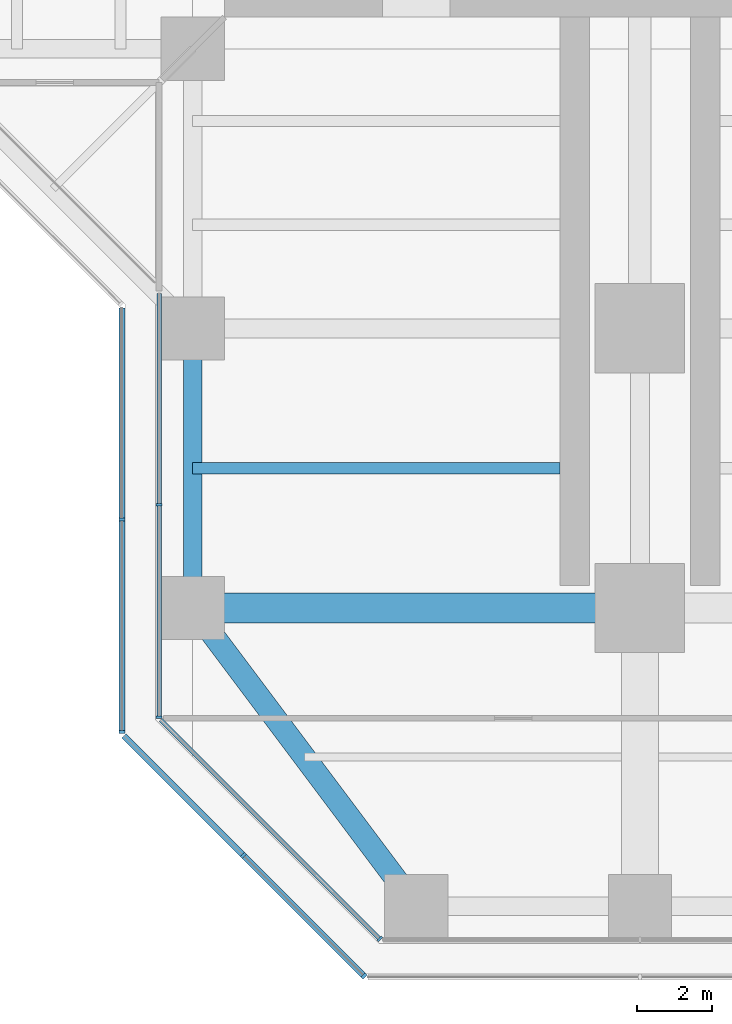
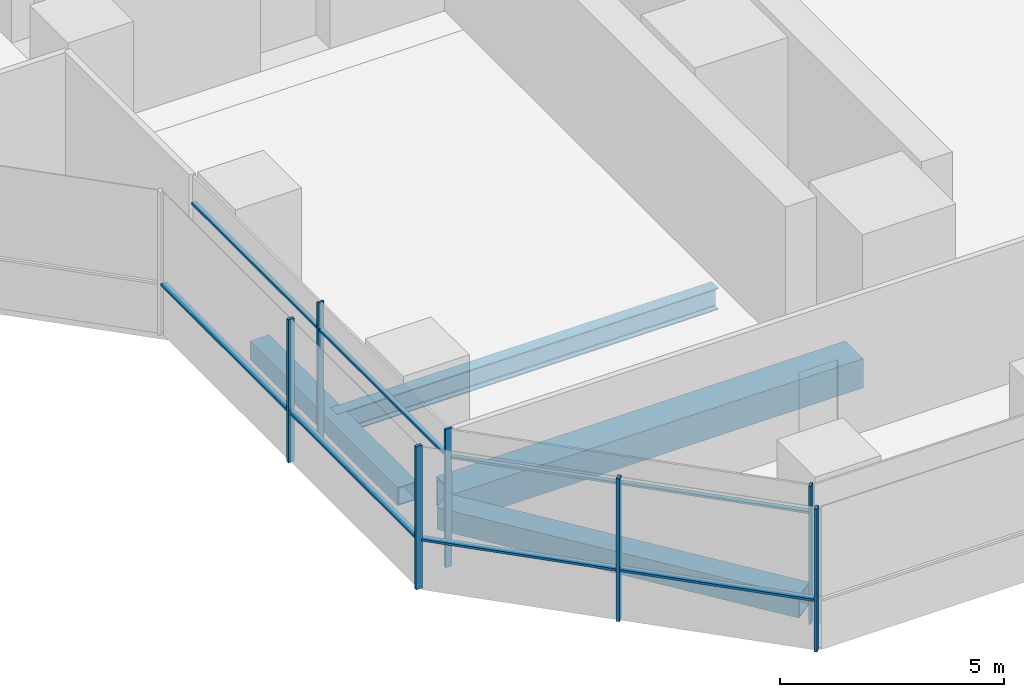
# One storey, part 2 of 22: 14 members, 4 beams, 4 elements without a shape of their own.
"""IFC4 building model written with IfcOpenShell, lengths in metres."""

from ifc_helpers import new_model, si_unit, direction, frame, origin, origin_2d, place, context, subcontext, project, spatial, rectangle, hollow_rectangle, i_section, extrude, material, material_profile, profile_set, type_object, element, aggregate, save


model = new_model("IFC4")

# Units and contexts
model_context = context("Model", 3, precision=1e-05, world=origin(), true_north=direction((0.0, 1.0)))
body_context = subcontext(model_context, "Body", "Model", "MODEL_VIEW")
ifc_project = project(units=[si_unit("LENGTHUNIT", "METRE"), si_unit("AREAUNIT", "SQUARE_METRE"), si_unit("VOLUMEUNIT", "CUBIC_METRE"), si_unit("PLANEANGLEUNIT", "RADIAN"), si_unit("MASSUNIT", "GRAM", prefix="KILO")], contexts=[model_context])

# Site, building, storey
site_placement = place(None, origin())
site = spatial("IfcSite", under=ifc_project, at=site_placement, CompositionType="ELEMENT")
building_placement = place(site_placement, origin())
building = spatial("IfcBuilding", under=site, at=building_placement, Name="Mizan Broadcast Tower", CompositionType="ELEMENT")
storey_placement = place(building_placement, frame((0.0, 0.0, 70.800048828125)))
storey = spatial("IfcBuildingStorey", under=building, at=storey_placement, Name="L14", CompositionType="ELEMENT", Elevation=70.800048828125)

# Beams
ifc_material_1 = material(Name="Steel S355", Category="steel")
ifc_material_profile_1 = material_profile(ifc_material_1, hollow_rectangle(XDim=0.5, YDim=0.5, WallThickness=0.030029296875, at=origin_2d()), Name="BOX 500x500x30")
ifc_profile_set_1 = profile_set([ifc_material_profile_1], Name="Steel S355")
beam_type_1 = type_object("IfcBeamType", Name="EDGE BEAM BOX 500x500x30", PredefinedType="SPANDREL", material=ifc_profile_set_1)
beam_1_placement = place(storey_placement, frame((-12.0, -19.949951171875, -0.380126953125), z_axis=(0.0, -1.0, 0.0), x_axis=(1.0, 0.0, 0.0)))
element("IfcBeam", 1, at=beam_1_placement, inside=storey, type_object=beam_type_1, Name="Edge beam BOX 500x500x30 L14 south arm", PredefinedType="SPANDREL", context=body_context, shape_type="SweptSolid", body=[
    extrude(hollow_rectangle(XDim=0.5, YDim=0.5, WallThickness=0.030029296875, at=origin_2d()), origin(), (0.0, 0.0, 1.0), 6.60009765625),
])
ifc_material_2 = material(Name="Steel S355", Category="steel")
ifc_material_profile_2 = material_profile(ifc_material_2, hollow_rectangle(XDim=0.60009765625, YDim=0.60009765625, WallThickness=0.030029296875, at=origin_2d()), Name="BOX 600x600x30")
ifc_profile_set_2 = profile_set([ifc_material_profile_2], Name="Steel S355")
beam_type_2 = type_object("IfcBeamType", Name="EDGE BEAM BOX 600x600x30", PredefinedType="SPANDREL", material=ifc_profile_set_2)
beam_2_placement = place(storey_placement, frame((-11.639892578125, -27.47998046875, -0.429931640625), z_axis=(0.599982243973, -0.800013316712, 0.0), x_axis=(0.800013316712, 0.599982243973, 0.0)))
element("IfcBeam", 2, at=beam_2_placement, inside=storey, type_object=beam_type_2, Name="Edge beam BOX 600x600x30 L14 south arm", PredefinedType="SPANDREL", context=body_context, shape_type="SweptSolid", body=[
    extrude(hollow_rectangle(XDim=0.60009765625, YDim=0.60009765625, WallThickness=0.030029296875, at=origin_2d()), origin(), (0.0, 0.0, 1.0), 8.7998046875),
])
ifc_material_3 = material(Name="Steel S460", Category="steel")
ifc_material_profile_3 = material_profile(ifc_material_3, hollow_rectangle(XDim=0.800048828125, YDim=0.800048828125, WallThickness=0.050048828125, at=origin_2d()), Name="BOX 800x800x50")
ifc_profile_set_3 = profile_set([ifc_material_profile_3], Name="Steel S460")
beam_type_3 = type_object("IfcBeamType", Name="GIRDER BOX 800x800x50", PredefinedType="BEAM", material=ifc_profile_set_3)
beam_3_placement = place(storey_placement, frame((-11.280029296875, -27.0, -0.530029296875), z_axis=(1.0, 0.0, 0.0), x_axis=(0.0, 1.0, 0.0)))
element("IfcBeam", 3, at=beam_3_placement, inside=storey, type_object=beam_type_3, Name="Girder BOX 800x800x50 L14 south arm", PredefinedType="BEAM", context=body_context, shape_type="SweptSolid", body=[
    extrude(hollow_rectangle(XDim=0.800048828125, YDim=0.800048828125, WallThickness=0.050048828125, at=origin_2d()), origin(), (0.0, 0.0, 1.0), 10.56005859375),
])

# Curtain wall, members
ifc_material_4 = material(Name="Aluminium framed glazing", Category="aluminium")
curtain_wall_type_1 = type_object("IfcCurtainWallType", Name="INNER SKIN LOW ZONE", PredefinedType="USERDEFINED", material=ifc_material_4)
curtain_wall_1_placement = place(storey_placement, origin())
curtain_wall_1 = element("IfcCurtainWall", 4, at=curtain_wall_1_placement, inside=storey, type_object=curtain_wall_type_1, Name="Inner skin low zone L14 S side", ObjectType="INNER SKIN LOW ZONE", PredefinedType="USERDEFINED")
ifc_material_5 = material(Name="Aluminium, pale anodised", Category="aluminium")
ifc_material_profile_4 = material_profile(ifc_material_5, rectangle(XDim=0.159912109375, YDim=0.06005859375, at=origin_2d()), Name="MULLION 160x60")
ifc_profile_set_4 = profile_set([ifc_material_profile_4], Name="Aluminium, pale anodised")
member_type_1 = type_object("IfcMemberType", Name="INNER SKIN MULLION 60x160", PredefinedType="MULLION", material=ifc_profile_set_4)
member_1_placement = place(storey_placement, frame((-12.89990234375, -24.229248046875, 0.0), z_axis=(0.0, 0.0, 1.0), x_axis=(1.0, 0.0, 0.0)))
member_1 = element("IfcMember", 5, at=member_1_placement, type_object=member_type_1, Name="Inner skin low zone L14 S side mullion 2", PredefinedType="MULLION", context=body_context, shape_type="SweptSolid", body=[
    extrude(rectangle(XDim=0.159912109375, YDim=0.06005859375, at=origin_2d()), origin(), (0.0, 0.0, 1.0), 3.77001953125),
])
member_2_placement = place(storey_placement, frame((-12.89990234375, -29.928466796875, 0.0), z_axis=(0.0, 0.0, 1.0), x_axis=(1.0, 0.0, 0.0)))
member_2 = element("IfcMember", 6, at=member_2_placement, type_object=member_type_1, Name="Inner skin low zone L14 S side mullion 3", PredefinedType="MULLION", context=body_context, shape_type="SweptSolid", body=[
    extrude(rectangle(XDim=0.159912109375, YDim=0.06005859375, at=origin_2d()), origin(), (0.0, 0.0, 1.0), 3.77001953125),
])

# Curtain wall, member
curtain_wall_2_placement = place(storey_placement, origin())
curtain_wall_2 = element("IfcCurtainWall", 7, at=curtain_wall_2_placement, inside=storey, type_object=curtain_wall_type_1, Name="Inner skin low zone L14 S chamfer", ObjectType="INNER SKIN LOW ZONE", PredefinedType="USERDEFINED")
member_3_placement = place(storey_placement, frame((-6.979736328125, -35.87890625, 0.0), z_axis=(0.0, 0.0, 1.0), x_axis=(0.707106781187, 0.707106781187, 0.0)))
member_3 = element("IfcMember", 8, at=member_3_placement, type_object=member_type_1, Name="Inner skin low zone L14 S chamfer mullion 2", PredefinedType="MULLION", context=body_context, shape_type="SweptSolid", body=[
    extrude(rectangle(XDim=0.159912109375, YDim=0.06005859375, at=origin_2d()), origin(), (0.0, 0.0, 1.0), 3.77001953125),
])

# Member
ifc_material_6 = material(Name="Aluminium, pale anodised", Category="aluminium")
ifc_material_profile_5 = material_profile(ifc_material_6, rectangle(XDim=0.1201171875, YDim=0.06005859375, at=origin_2d()), Name="TRANSOM 120x60")
ifc_profile_set_5 = profile_set([ifc_material_profile_5], Name="Aluminium, pale anodised")
member_type_2 = type_object("IfcMemberType", Name="INNER SKIN TRANSOM 60x120", PredefinedType="USERDEFINED", material=ifc_profile_set_5)
member_4_placement = place(storey_placement, frame((-12.89990234375, -18.56005859375, 3.030029296875), z_axis=(0.0, -1.0, 0.0), x_axis=(1.0, 0.0, 0.0)))
member_4 = element("IfcMember", 9, at=member_4_placement, type_object=member_type_2, Name="Inner skin low zone L14 S side transom 1.1", ObjectType="TRANSOM", PredefinedType="USERDEFINED", context=body_context, shape_type="SweptSolid", body=[
    extrude(rectangle(XDim=0.1201171875, YDim=0.06005859375, at=origin_2d()), origin(), (0.0, 0.0, 1.0), 5.63916015625),
])

member_5_placement = place(storey_placement, frame((-12.89990234375, -24.25927734375, 3.030029296875), z_axis=(0.0, -1.0, 0.0), x_axis=(1.0, 0.0, 0.0)))
member_5 = element("IfcMember", 10, at=member_5_placement, type_object=member_type_2, Name="Inner skin low zone L14 S side transom 2.1", ObjectType="TRANSOM", PredefinedType="USERDEFINED", context=body_context, shape_type="SweptSolid", body=[
    extrude(rectangle(XDim=0.1201171875, YDim=0.06005859375, at=origin_2d()), origin(), (0.0, 0.0, 1.0), 5.639404296875),
])

aggregate(curtain_wall_1, [member_1, member_2, member_4, member_5])

member_6_placement = place(storey_placement, frame((-12.857666015625, -30.0009765625, 3.030029296875), z_axis=(0.707106781187, -0.707106781187, 0.0), x_axis=(0.707106781187, 0.707106781187, 0.0)))
member_6 = element("IfcMember", 11, at=member_6_placement, type_object=member_type_2, Name="Inner skin low zone L14 S chamfer transom 1.1", ObjectType="TRANSOM", PredefinedType="USERDEFINED", context=body_context, shape_type="SweptSolid", body=[
    extrude(rectangle(XDim=0.1201171875, YDim=0.06005859375, at=origin_2d()), origin(), (0.0, 0.0, 1.0), 8.28271484375),
])

aggregate(curtain_wall_2, [member_3, member_6])

# Curtain wall, members
ifc_material_7 = material(Name="Aluminium framed glazing", Category="aluminium")
curtain_wall_type_2 = type_object("IfcCurtainWallType", Name="OUTER SKIN", PredefinedType="USERDEFINED", material=ifc_material_7)
curtain_wall_3_placement = place(storey_placement, origin())
curtain_wall_3 = element("IfcCurtainWall", 12, at=curtain_wall_3_placement, inside=storey, type_object=curtain_wall_type_2, Name="Outer skin L14 S side", ObjectType="OUTER SKIN", PredefinedType="USERDEFINED")
ifc_material_8 = material(Name="Aluminium, pale anodised", Category="aluminium")
ifc_material_profile_6 = material_profile(ifc_material_8, rectangle(XDim=0.159912109375, YDim=0.080078125, at=origin_2d()), Name="MULLION 160x80")
ifc_profile_set_6 = profile_set([ifc_material_profile_6], Name="Aluminium, pale anodised")
member_type_3 = type_object("IfcMemberType", Name="OUTER SKIN MULLION 80x160", PredefinedType="MULLION", material=ifc_profile_set_6)
member_7_placement = place(storey_placement, frame((-13.89990234375, -24.622802734375, 0.0), z_axis=(0.0, 0.0, 1.0), x_axis=(1.0, 0.0, 0.0)))
member_7 = element("IfcMember", 13, at=member_7_placement, type_object=member_type_3, Name="Outer skin L14 S side mullion 2", PredefinedType="MULLION", context=body_context, shape_type="SweptSolid", body=[
    extrude(rectangle(XDim=0.159912109375, YDim=0.080078125, at=origin_2d()), origin(), (0.0, 0.0, 1.0), 3.89990234375),
])
member_8_placement = place(storey_placement, frame((-13.89990234375, -30.332763671875, 0.0), z_axis=(0.0, 0.0, 1.0), x_axis=(1.0, 0.0, 0.0)))
member_8 = element("IfcMember", 14, at=member_8_placement, type_object=member_type_3, Name="Outer skin L14 S side mullion 3", PredefinedType="MULLION", context=body_context, shape_type="SweptSolid", body=[
    extrude(rectangle(XDim=0.159912109375, YDim=0.080078125, at=origin_2d()), origin(), (0.0, 0.0, 1.0), 3.89990234375),
])

curtain_wall_4_placement = place(storey_placement, origin())
curtain_wall_4 = element("IfcCurtainWall", 15, at=curtain_wall_4_placement, inside=storey, type_object=curtain_wall_type_2, Name="Outer skin L14 S chamfer", ObjectType="OUTER SKIN", PredefinedType="USERDEFINED")
member_9_placement = place(storey_placement, frame((-10.636474609375, -33.636474609375, 0.0), z_axis=(0.0, 0.0, 1.0), x_axis=(0.707106781187, 0.707106781187, 0.0)))
member_9 = element("IfcMember", 16, at=member_9_placement, type_object=member_type_3, Name="Outer skin L14 S chamfer mullion 2", PredefinedType="MULLION", context=body_context, shape_type="SweptSolid", body=[
    extrude(rectangle(XDim=0.159912109375, YDim=0.080078125, at=origin_2d()), origin(), (0.0, 0.0, 1.0), 3.89990234375),
])
member_10_placement = place(storey_placement, frame((-7.401123046875, -36.871826171875, 0.0), z_axis=(0.0, 0.0, 1.0), x_axis=(0.707106781187, 0.707106781187, 0.0)))
member_10 = element("IfcMember", 17, at=member_10_placement, type_object=member_type_3, Name="Outer skin L14 S chamfer mullion 3", PredefinedType="MULLION", context=body_context, shape_type="SweptSolid", body=[
    extrude(rectangle(XDim=0.159912109375, YDim=0.080078125, at=origin_2d()), origin(), (0.0, 0.0, 1.0), 3.89990234375),
])

# Member
ifc_material_9 = material(Name="Aluminium, pale anodised", Category="aluminium")
ifc_material_profile_7 = material_profile(ifc_material_9, rectangle(XDim=0.159912109375, YDim=0.06005859375, at=origin_2d()), Name="TRANSOM 160x60")
ifc_profile_set_7 = profile_set([ifc_material_profile_7], Name="Aluminium, pale anodised")
member_type_4 = type_object("IfcMemberType", Name="OUTER SKIN TRANSOM 60x160", PredefinedType="USERDEFINED", material=ifc_profile_set_7)
member_11_placement = place(storey_placement, frame((-13.89990234375, -18.952880859375, 1.39990234375), z_axis=(0.0, -1.0, 0.0), x_axis=(1.0, 0.0, 0.0)))
member_11 = element("IfcMember", 18, at=member_11_placement, type_object=member_type_4, Name="Outer skin L14 S side transom 1.1", ObjectType="TRANSOM", PredefinedType="USERDEFINED", context=body_context, shape_type="SweptSolid", body=[
    extrude(rectangle(XDim=0.159912109375, YDim=0.06005859375, at=origin_2d()), origin(), (0.0, 0.0, 1.0), 5.6298828125),
])

member_12_placement = place(storey_placement, frame((-13.89990234375, -24.662841796875, 1.39990234375), z_axis=(0.0, -1.0, 0.0), x_axis=(1.0, 0.0, 0.0)))
member_12 = element("IfcMember", 19, at=member_12_placement, type_object=member_type_4, Name="Outer skin L14 S side transom 2.1", ObjectType="TRANSOM", PredefinedType="USERDEFINED", context=body_context, shape_type="SweptSolid", body=[
    extrude(rectangle(XDim=0.159912109375, YDim=0.06005859375, at=origin_2d()), origin(), (0.0, 0.0, 1.0), 5.6298828125),
])

aggregate(curtain_wall_3, [member_7, member_8, member_11, member_12])

member_13_placement = place(storey_placement, frame((-13.843505859375, -30.429443359375, 1.39990234375), z_axis=(0.707106781187, -0.707106781187, 0.0), x_axis=(0.707106781187, 0.707106781187, 0.0)))
member_13 = element("IfcMember", 20, at=member_13_placement, type_object=member_type_4, Name="Outer skin L14 S chamfer transom 1.1", ObjectType="TRANSOM", PredefinedType="USERDEFINED", context=body_context, shape_type="SweptSolid", body=[
    extrude(rectangle(XDim=0.159912109375, YDim=0.06005859375, at=origin_2d()), origin(), (0.0, 0.0, 1.0), 4.495361328125),
])

member_14_placement = place(storey_placement, frame((-10.608154296875, -33.664794921875, 1.39990234375), z_axis=(0.707106781187, -0.707106781187, 0.0), x_axis=(0.707106781187, 0.707106781187, 0.0)))
member_14 = element("IfcMember", 21, at=member_14_placement, type_object=member_type_4, Name="Outer skin L14 S chamfer transom 2.1", ObjectType="TRANSOM", PredefinedType="USERDEFINED", context=body_context, shape_type="SweptSolid", body=[
    extrude(rectangle(XDim=0.159912109375, YDim=0.06005859375, at=origin_2d()), origin(), (0.0, 0.0, 1.0), 4.495361328125),
])

aggregate(curtain_wall_4, [member_9, member_10, member_13, member_14])

# Beam
ifc_material_10 = material(Name="Steel S355", Category="steel")
ifc_material_profile_8 = material_profile(ifc_material_10, i_section(OverallWidth=0.300048828125, OverallDepth=0.590087890625, WebThickness=0.012939453125, FlangeThickness=0.02490234375, FilletRadius=0.027099609375, at=origin_2d()), Name="HEA 600")
ifc_profile_set_8 = profile_set([ifc_material_profile_8], Name="Steel S355")
beam_type_4 = type_object("IfcBeamType", Name="SECONDARY BEAM HEA 600", PredefinedType="JOIST", material=ifc_profile_set_8)
beam_4_placement = place(storey_placement, frame((-12.0, -23.25, -0.425048828125), z_axis=(1.0, 0.0, 0.0), x_axis=(0.0, 1.0, 0.0)))
element("IfcBeam", 22, at=beam_4_placement, inside=storey, type_object=beam_type_4, Name="Secondary beam HEA 600 L14 south arm", PredefinedType="JOIST", context=body_context, shape_type="SweptSolid", body=[
    extrude(i_section(OverallWidth=0.300048828125, OverallDepth=0.590087890625, WebThickness=0.012939453125, FlangeThickness=0.02490234375, FilletRadius=0.027099609375, at=origin_2d()), origin(), (0.0, 0.0, 1.0), 9.85009765625),
])

save(model, "model.ifc")
